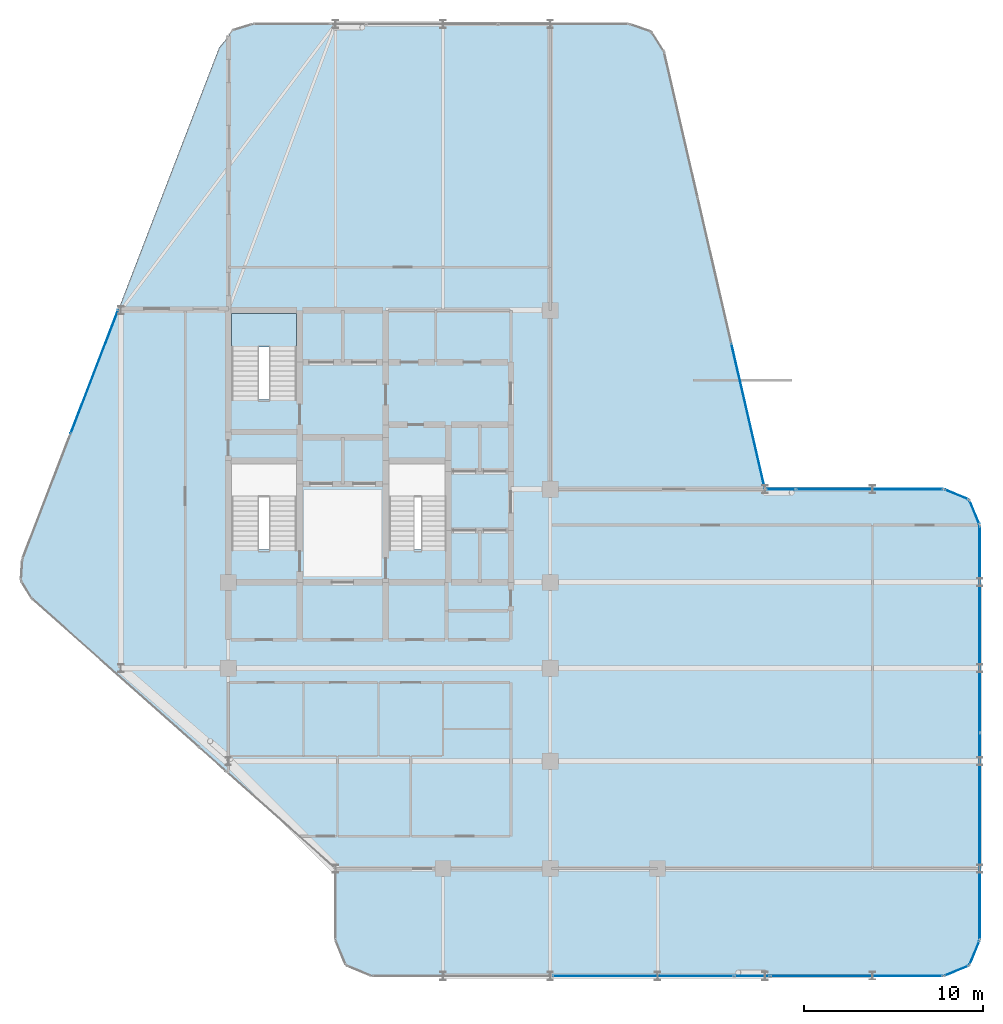
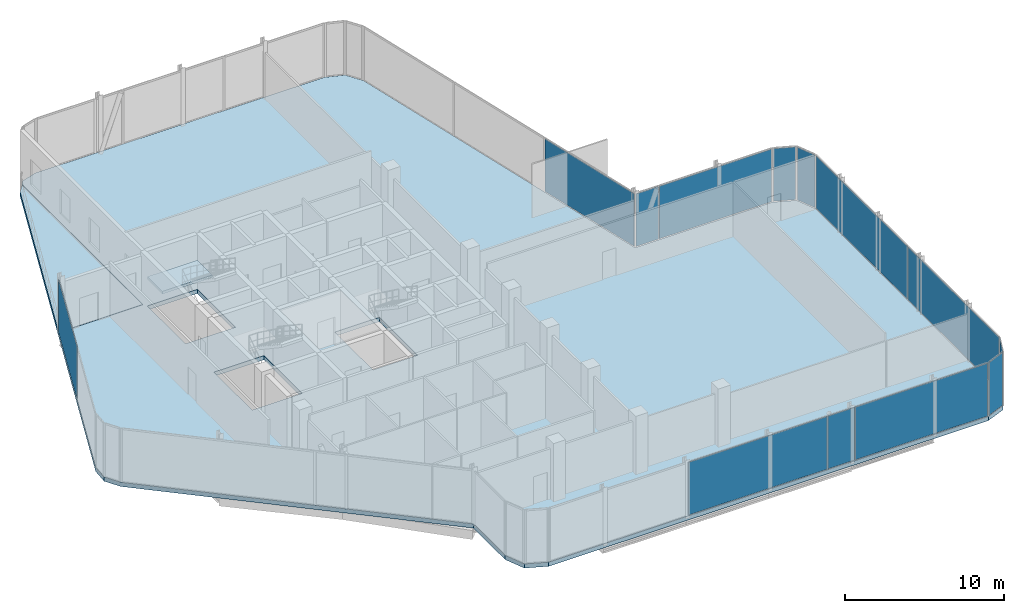
# One storey, part 25 of 31: 13 plates, 3 slabs, 13 elements without a shape of their own.
"""IFC4 building model written with IfcOpenShell, lengths in metres."""

from ifc_helpers import new_model, si_unit, direction, frame, origin, origin_2d, place, context, subcontext, project, spatial, polyline, rectangle, outline, extrude, material, layer, layer_set, type_object, element, aggregate, save


model = new_model("IFC4")

# Units and contexts
model_context = context("Model", 3, precision=1e-05, world=origin(), true_north=direction((0.0, 1.0)))
body_context = subcontext(model_context, "Body", "Model", "MODEL_VIEW")
ifc_project = project(units=[si_unit("LENGTHUNIT", "METRE"), si_unit("AREAUNIT", "SQUARE_METRE"), si_unit("VOLUMEUNIT", "CUBIC_METRE"), si_unit("PLANEANGLEUNIT", "RADIAN"), si_unit("MASSUNIT", "GRAM", prefix="KILO")], contexts=[model_context])

# Site, building, storey
site_placement = place(None, origin())
site = spatial("IfcSite", under=ifc_project, at=site_placement, CompositionType="ELEMENT")
building_placement = place(site_placement, origin())
building = spatial("IfcBuilding", under=site, at=building_placement, Name="Keshet Zoharim Tower", CompositionType="ELEMENT")
storey_placement = place(building_placement, frame((0.0, 0.0, 183.89990234375)))
storey = spatial("IfcBuildingStorey", under=building, at=storey_placement, Name="L45", CompositionType="ELEMENT", Elevation=183.89990234375)

# Curtain wall, plate
ifc_material_1 = material(Name="Aluminium 6063-T6", Category="aluminium")
ifc_layer_1 = layer(ifc_material_1, 0.139892578125)
ifc_layer_set_1 = layer_set([ifc_layer_1], Name="Aluminium 6063-T6")
curtain_wall_type = type_object("IfcCurtainWallType", Name="CW-SYS-05", PredefinedType="NOTDEFINED", material=ifc_layer_set_1)
curtain_wall_1_placement = place(storey_placement, origin())
curtain_wall_1 = element("IfcCurtainWall", 1, at=curtain_wall_1_placement, inside=storey, type_object=curtain_wall_type, Name="L45 Unitised Curtain Wall 04", PredefinedType="NOTDEFINED")
ifc_material_2 = material(Name="Insulated Low-E Clear Glass", Category="glass")
ifc_layer_2 = layer(ifc_material_2, 0.031982421875)
ifc_layer_set_2 = layer_set([ifc_layer_2], Name="Insulated Low-E Clear Glass")
plate_type_1 = type_object("IfcPlateType", Name="CWP-02", PredefinedType="CURTAIN_PANEL", material=ifc_layer_set_2)
plate_1_placement = place(storey_placement, frame((44.0556640625, 31.991943359375, 0.0703125), z_axis=(0.0, 0.0, 1.0), x_axis=(0.224847864369, -0.974393882313, 0.0)))
plate_1 = element("IfcPlate", 2, at=plate_1_placement, type_object=plate_type_1, Name="CW-05 panel 3.1", PredefinedType="CURTAIN_PANEL", context=body_context, shape_type="SweptSolid", body=[
    extrude(rectangle(XDim=8.25927734375, YDim=0.031982421875, at=origin_2d()), origin(), (0.0, 0.0, 1.0), 4.050048828125),
])
aggregate(curtain_wall_1, [plate_1])

curtain_wall_2_placement = place(storey_placement, origin())
curtain_wall_2 = element("IfcCurtainWall", 3, at=curtain_wall_2_placement, inside=storey, type_object=curtain_wall_type, Name="L45 Unitised Curtain Wall 05 Part 2", PredefinedType="NOTDEFINED")
plate_2_placement = place(storey_placement, frame((50.84130859375, 27.89990234375, 0.0703125), z_axis=(0.0, 0.0, 1.0), x_axis=(1.0, 0.0, 0.0)))
plate_2 = element("IfcPlate", 4, at=plate_2_placement, type_object=plate_type_1, Name="CW-05 panel 1.1", PredefinedType="CURTAIN_PANEL", context=body_context, shape_type="SweptSolid", body=[
    extrude(rectangle(XDim=8.177490234375, YDim=0.031982421875, at=origin_2d()), origin(), (0.0, 0.0, 1.0), 4.050048828125),
])
aggregate(curtain_wall_2, [plate_2])

curtain_wall_3_placement = place(storey_placement, origin())
curtain_wall_3 = element("IfcCurtainWall", 5, at=curtain_wall_3_placement, inside=storey, type_object=curtain_wall_type, Name="L45 Unitised Curtain Wall 06", PredefinedType="NOTDEFINED")
plate_3_placement = place(storey_placement, frame((55.70703125, 27.60693359375, 0.0703125), z_axis=(0.0, 0.0, 1.0), x_axis=(0.92380975372, -0.382851849847, 0.0)))
plate_3 = element("IfcPlate", 6, at=plate_3_placement, type_object=plate_type_1, Name="CW-05 panel 1.1", PredefinedType="CURTAIN_PANEL", context=body_context, shape_type="SweptSolid", body=[
    extrude(rectangle(XDim=1.390625, YDim=0.031982421875, at=origin_2d()), origin(), (0.0, 0.0, 1.0), 4.050048828125),
])
aggregate(curtain_wall_3, [plate_3])

curtain_wall_4_placement = place(storey_placement, origin())
curtain_wall_4 = element("IfcCurtainWall", 7, at=curtain_wall_4_placement, inside=storey, type_object=curtain_wall_type, Name="L45 Unitised Curtain Wall 07", PredefinedType="NOTDEFINED")
plate_4_placement = place(storey_placement, frame((56.70703125, 26.60693359375, 0.0703125), z_axis=(0.0, 0.0, 1.0), x_axis=(0.382851849847, -0.92380975372, 0.0)))
plate_4 = element("IfcPlate", 8, at=plate_4_placement, type_object=plate_type_1, Name="CW-05 panel 1.1", PredefinedType="CURTAIN_PANEL", context=body_context, shape_type="SweptSolid", body=[
    extrude(rectangle(XDim=1.390625, YDim=0.031982421875, at=origin_2d()), origin(), (0.0, 0.0, 1.0), 4.050048828125),
])
aggregate(curtain_wall_4, [plate_4])

# Curtain wall, plates
curtain_wall_5_placement = place(storey_placement, origin())
curtain_wall_5 = element("IfcCurtainWall", 9, at=curtain_wall_5_placement, inside=storey, type_object=curtain_wall_type, Name="L45 Unitised Curtain Wall 08", PredefinedType="NOTDEFINED")
plate_5_placement = place(storey_placement, frame((57.0, 20.08251953125, 0.0703125), z_axis=(0.0, 0.0, 1.0), x_axis=(0.0, -1.0, 0.0)))
plate_5 = element("IfcPlate", 10, at=plate_5_placement, type_object=plate_type_1, Name="CW-05 panel 1.1", PredefinedType="CURTAIN_PANEL", context=body_context, shape_type="SweptSolid", body=[
    extrude(rectangle(XDim=11.4951171875, YDim=0.031982421875, at=origin_2d()), origin(), (0.0, 0.0, 1.0), 4.050048828125),
])
plate_6_placement = place(storey_placement, frame((57.0, 8.517578125, 0.0703125), z_axis=(0.0, 0.0, 1.0), x_axis=(0.0, -1.0, 0.0)))
plate_6 = element("IfcPlate", 11, at=plate_6_placement, type_object=plate_type_1, Name="CW-05 panel 2.1", PredefinedType="CURTAIN_PANEL", context=body_context, shape_type="SweptSolid", body=[
    extrude(rectangle(XDim=11.4951171875, YDim=0.031982421875, at=origin_2d()), origin(), (0.0, 0.0, 1.0), 4.050048828125),
])
aggregate(curtain_wall_5, [plate_5, plate_6])

# Curtain wall, plate
curtain_wall_6_placement = place(storey_placement, origin())
curtain_wall_6 = element("IfcCurtainWall", 12, at=curtain_wall_6_placement, inside=storey, type_object=curtain_wall_type, Name="L45 Unitised Curtain Wall 09", PredefinedType="NOTDEFINED")
plate_7_placement = place(storey_placement, frame((56.70703125, 1.992919921875, 0.0703125), z_axis=(0.0, 0.0, 1.0), x_axis=(-0.382851849847, -0.92380975372, 0.0)))
plate_7 = element("IfcPlate", 13, at=plate_7_placement, type_object=plate_type_1, Name="CW-05 panel 1.1", PredefinedType="CURTAIN_PANEL", context=body_context, shape_type="SweptSolid", body=[
    extrude(rectangle(XDim=1.390625, YDim=0.031982421875, at=origin_2d()), origin(), (0.0, 0.0, 1.0), 4.050048828125),
])
aggregate(curtain_wall_6, [plate_7])

curtain_wall_7_placement = place(storey_placement, origin())
curtain_wall_7 = element("IfcCurtainWall", 14, at=curtain_wall_7_placement, inside=storey, type_object=curtain_wall_type, Name="L45 Unitised Curtain Wall 10", PredefinedType="NOTDEFINED")
plate_8_placement = place(storey_placement, frame((55.70703125, 0.992919921875, 0.0703125), z_axis=(0.0, 0.0, 1.0), x_axis=(-0.92380975372, -0.382851849847, 0.0)))
plate_8 = element("IfcPlate", 15, at=plate_8_placement, type_object=plate_type_1, Name="CW-05 panel 1.1", PredefinedType="CURTAIN_PANEL", context=body_context, shape_type="SweptSolid", body=[
    extrude(rectangle(XDim=1.390625, YDim=0.031982421875, at=origin_2d()), origin(), (0.0, 0.0, 1.0), 4.050048828125),
])
aggregate(curtain_wall_7, [plate_8])

curtain_wall_8_placement = place(storey_placement, origin())
curtain_wall_8 = element("IfcCurtainWall", 16, at=curtain_wall_8_placement, inside=storey, type_object=curtain_wall_type, Name="L45 Unitised Curtain Wall 11", PredefinedType="NOTDEFINED")
plate_9_placement = place(storey_placement, frame((50.126220703125, 0.699951171875, 0.0703125), z_axis=(0.0, 0.0, 1.0), x_axis=(-1.0, 0.0, 0.0)))
plate_9 = element("IfcPlate", 17, at=plate_9_placement, type_object=plate_type_1, Name="CW-05 panel 1.1", PredefinedType="CURTAIN_PANEL", context=body_context, shape_type="SweptSolid", body=[
    extrude(rectangle(XDim=9.607421875, YDim=0.031982421875, at=origin_2d()), origin(), (0.0, 0.0, 1.0), 4.050048828125),
])
aggregate(curtain_wall_8, [plate_9])

curtain_wall_9_placement = place(storey_placement, origin())
curtain_wall_9 = element("IfcCurtainWall", 18, at=curtain_wall_9_placement, inside=storey, type_object=curtain_wall_type, Name="L45 Unitised Curtain Wall 11 Part 3", PredefinedType="NOTDEFINED")
plate_10_placement = place(storey_placement, frame((38.203125, 0.699951171875, 0.0703125), z_axis=(0.0, 0.0, 1.0), x_axis=(-1.0, 0.0, 0.0)))
plate_10 = element("IfcPlate", 19, at=plate_10_placement, type_object=plate_type_1, Name="CW-05 panel 1.1", PredefinedType="CURTAIN_PANEL", context=body_context, shape_type="SweptSolid", body=[
    extrude(rectangle(XDim=10.0888671875, YDim=0.031982421875, at=origin_2d()), origin(), (0.0, 0.0, 1.0), 4.050048828125),
])
aggregate(curtain_wall_9, [plate_10])

curtain_wall_10_placement = place(storey_placement, origin())
curtain_wall_10 = element("IfcCurtainWall", 20, at=curtain_wall_10_placement, inside=storey, type_object=curtain_wall_type, Name="L45 Unitised Curtain Wall 18", PredefinedType="NOTDEFINED")
plate_11_placement = place(storey_placement, frame((7.525634765625, 34.466796875, 0.0703125), z_axis=(0.0, 0.0, 1.0), x_axis=(0.359001436819, 0.933337006853, 0.0)))
plate_11 = element("IfcPlate", 21, at=plate_11_placement, type_object=plate_type_1, Name="CW-05 panel 2.1", PredefinedType="CURTAIN_PANEL", context=body_context, shape_type="SweptSolid", body=[
    extrude(rectangle(XDim=7.387939453125, YDim=0.031982421875, at=origin_2d()), origin(), (0.0, 0.0, 1.0), 4.050048828125),
])
aggregate(curtain_wall_10, [plate_11])

curtain_wall_11_placement = place(storey_placement, origin())
curtain_wall_11 = element("IfcCurtainWall", 22, at=curtain_wall_11_placement, inside=storey, type_object=curtain_wall_type, Name="L45 Unitised Curtain Wall 05", PredefinedType="NOTDEFINED")
ifc_material_3 = material(Name="Insulated Aluminium Spandrel Panel", Category="aluminium")
ifc_layer_3 = layer(ifc_material_3, 0.031982421875)
ifc_layer_set_3 = layer_set([ifc_layer_3], Name="Insulated Aluminium Spandrel Panel")
plate_type_2 = type_object("IfcPlateType", Name="CWP-05", PredefinedType="CURTAIN_PANEL", material=ifc_layer_set_3)
plate_12_placement = place(storey_placement, frame((45.876220703125, 27.89990234375, 0.0703125), z_axis=(0.0, 0.0, 1.0), x_axis=(1.0, 0.0, 0.0)))
plate_12 = element("IfcPlate", 23, at=plate_12_placement, type_object=plate_type_2, Name="CW-05 spandrel panel 1.1", PredefinedType="CURTAIN_PANEL", context=body_context, shape_type="SweptSolid", body=[
    extrude(rectangle(XDim=1.612548828125, YDim=0.031982421875, at=origin_2d()), origin(), (0.0, 0.0, 1.0), 4.050048828125),
])
aggregate(curtain_wall_11, [plate_12])

curtain_wall_12_placement = place(storey_placement, origin())
curtain_wall_12 = element("IfcCurtainWall", 24, at=curtain_wall_12_placement, inside=storey, type_object=curtain_wall_type, Name="L45 Unitised Curtain Wall 11 Part 2", PredefinedType="NOTDEFINED")
plate_13_placement = place(storey_placement, frame((44.284912109375, 0.699951171875, 0.0703125), z_axis=(0.0, 0.0, 1.0), x_axis=(-1.0, 0.0, 0.0)))
plate_13 = element("IfcPlate", 25, at=plate_13_placement, type_object=plate_type_2, Name="CW-05 spandrel panel 1.1", PredefinedType="CURTAIN_PANEL", context=body_context, shape_type="SweptSolid", body=[
    extrude(rectangle(XDim=1.93505859375, YDim=0.031982421875, at=origin_2d()), origin(), (0.0, 0.0, 1.0), 4.050048828125),
])
aggregate(curtain_wall_12, [plate_13])

# Slabs
ifc_material_4 = material(Name="Concrete C50/60", Category="concrete")
ifc_layer_4 = layer(ifc_material_4, 0.320068359375)
ifc_layer_set_4 = layer_set([ifc_layer_4], Name="Concrete C50/60")
slab_type_1 = type_object("IfcSlabType", Name="SLB-COM-320", PredefinedType="FLOOR", material=ifc_layer_set_4)
slab_1_placement = place(storey_placement, frame((0.0, 0.0, -0.31982421875)))
element("IfcSlab", 26, at=slab_1_placement, inside=storey, type_object=slab_type_1, Name="L45 Structural Floor Slab 1", PredefinedType="FLOOR", context=body_context, shape_type="SweptSolid", body=[
    extrude(outline(polyline([(16.3740234375, 53.89990234375), (37.408935546875, 53.89990234375), (38.654052734375, 53.465087890625), (39.35791015625, 52.35009765625), (45.0, 27.89990234375), (55.0, 27.89990234375), (56.4140625, 27.31396484375), (57.0, 25.89990234375), (57.0, 2.699951171875), (56.4140625, 1.285888671875), (55.0, 0.699951171875), (23.0, 0.699951171875), (21.5859375, 1.285888671875), (21.0, 2.699951171875), (21.0, 6.699951171875), (4.034912109375, 21.780029296875), (3.419921875, 22.802001953125), (3.4970703125, 23.992919921875), (8.876953125, 37.97998046875), (15.02001953125, 37.97998046875), (15.02001953125, 53.256103515625), (15.240966796875, 53.549072265625), (16.3740234375, 53.89990234375)]), holes=[polyline([(15.179931640625, 24.52001953125), (18.820068359375, 24.52001953125), (18.820068359375, 29.320068359375), (15.179931640625, 29.320068359375), (15.179931640625, 24.52001953125)]), polyline([(15.179931640625, 32.919921875), (18.820068359375, 32.919921875), (18.820068359375, 37.719970703125), (15.179931640625, 37.719970703125), (15.179931640625, 32.919921875)]), polyline([(23.97998046875, 24.52001953125), (27.219970703125, 24.52001953125), (27.219970703125, 29.320068359375), (23.97998046875, 29.320068359375), (23.97998046875, 24.52001953125)])]), origin(), (0.0, 0.0, 1.0), 0.31982421875),
])
slab_2_placement = place(storey_placement, frame((0.0, 0.0, -0.31982421875)))
element("IfcSlab", 27, at=slab_2_placement, inside=storey, type_object=slab_type_1, Name="L45 North-West Sky Community Loggia Terrace Slab", PredefinedType="FLOOR", context=body_context, shape_type="SweptSolid", body=[
    extrude(outline(polyline([(15.0, 53.199951171875), (15.0, 38.0), (8.884033203125, 38.0), (14.493896484375, 52.5830078125), (15.0, 53.199951171875)])), origin(), (0.0, 0.0, 1.0), 0.31982421875),
])

# Stair, slab
stair_type = type_object("IfcStairType", Name="STR-EXIT-135", PredefinedType="HALF_TURN_STAIR", material=ifc_material_4)
stair_placement = place(storey_placement, origin())
stair = element("IfcStair", 28, at=stair_placement, inside=storey, type_object=stair_type, Name="L45 Enclosed Exit Stair ST-02", PredefinedType="HALF_TURN_STAIR")
ifc_layer_5 = layer(ifc_material_4, 0.199951171875)
ifc_layer_set_5 = layer_set([ifc_layer_5], Name="Concrete C50/60")
slab_type_2 = type_object("IfcSlabType", Name="SLB-LND-200", PredefinedType="LANDING", material=ifc_layer_set_5)
slab_3_placement = place(storey_placement, frame((0.0, 0.0, 2.050048828125)))
slab_3 = element("IfcSlab", 29, at=slab_3_placement, type_object=slab_type_2, Name="ST-02 landing 1", PredefinedType="LANDING", context=body_context, shape_type="SweptSolid", body=[
    extrude(outline(polyline([(15.179931640625, 35.840087890625), (18.820068359375, 35.840087890625), (18.820068359375, 37.719970703125), (15.179931640625, 37.719970703125), (15.179931640625, 35.840087890625)])), origin(), (0.0, 0.0, 1.0), 0.199951171875),
])
aggregate(stair, [slab_3])

save(model, "model.ifc")
